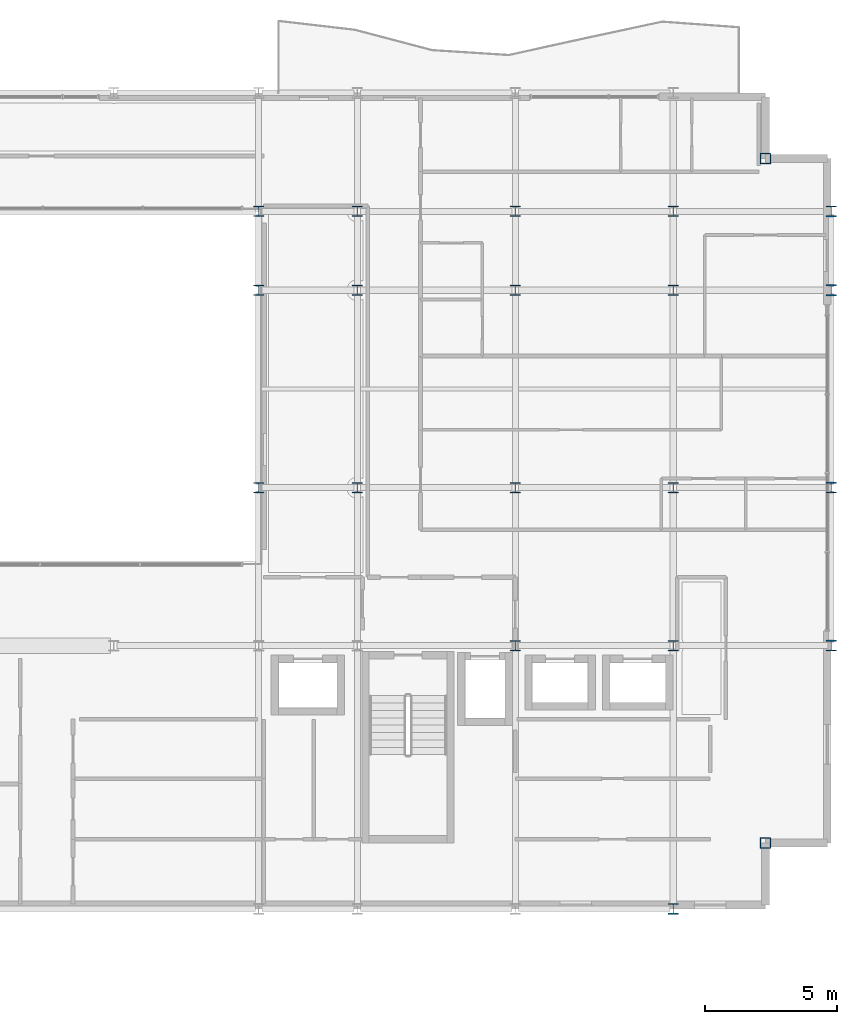
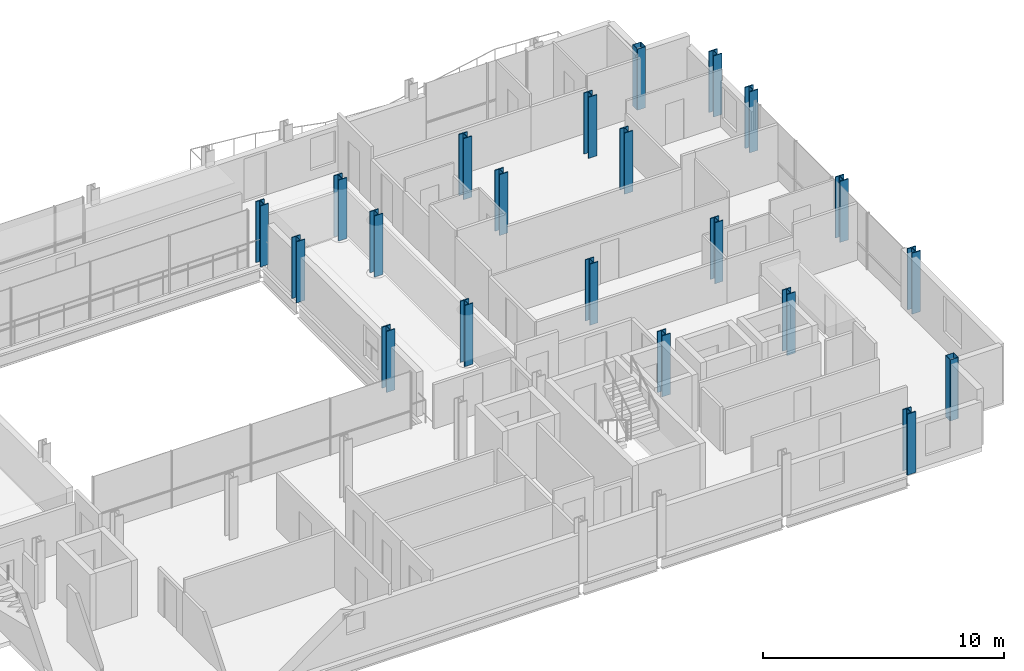
# One storey, part 2 of 41: 21 columns.
"""IFC4 building model written with IfcOpenShell, lengths in metres."""

from ifc_helpers import new_model, si_unit, direction, frame, origin, origin_2d, place, context, subcontext, project, spatial, hollow_rectangle, i_section, extrude, material, material_profile, profile_set, type_object, element, save


model = new_model("IFC4")

# Units and contexts
model_context = context("Model", 3, precision=1e-05, world=origin(), true_north=direction((0.0, 1.0)))
body_context = subcontext(model_context, "Body", "Model", "MODEL_VIEW")
ifc_project = project(units=[si_unit("LENGTHUNIT", "METRE"), si_unit("AREAUNIT", "SQUARE_METRE"), si_unit("VOLUMEUNIT", "CUBIC_METRE"), si_unit("PLANEANGLEUNIT", "RADIAN"), si_unit("MASSUNIT", "GRAM", prefix="KILO")], contexts=[model_context])

# Site, building, storey
site_placement = place(None, origin())
site = spatial("IfcSite", under=ifc_project, at=site_placement, CompositionType="ELEMENT")
building_placement = place(site_placement, origin())
building = spatial("IfcBuilding", under=site, at=building_placement, Name="Brevholm Reach", CompositionType="ELEMENT")
storey_placement = place(building_placement, frame((0.0, 0.0, 151.10009765625)))
storey = spatial("IfcBuildingStorey", under=building, at=storey_placement, Name="L45", CompositionType="ELEMENT", Elevation=151.10009765625)

# Columns
ifc_material_1 = material(Name="Structural Steel S460NH", Category="steel")
ifc_material_profile_1 = material_profile(ifc_material_1, hollow_rectangle(XDim=0.39990234375, YDim=0.39990234375, WallThickness=0.02001953125, InnerFilletRadius=0.011962890625, OuterFilletRadius=0.02392578125, at=origin_2d()), Name="SHS 400x400x20")
ifc_profile_set_1 = profile_set([ifc_material_profile_1], Name="Structural Steel S460NH")
column_type_1 = type_object("IfcColumnType", Name="COL-SHS2", PredefinedType="COLUMN", material=ifc_profile_set_1)
for number, where, z_axis, x_axis, name in (
    (1, (57.5, 2.5, 0.0), (0.0, 0.0, 1.0), (1.0, 0.0, 0.0), "L45 Column 59"),
    (2, (57.5, 28.5, 0.0), (0.0, 0.0, 1.0), (1.0, 0.0, 0.0), "L45 Column 60"),
):
    element("IfcColumn", number, at=place(storey_placement, frame(where, z_axis=z_axis, x_axis=x_axis)), inside=storey, type_object=column_type_1, Name=name, PredefinedType="COLUMN", context=body_context, shape_type="SweptSolid", body=[
        extrude(hollow_rectangle(XDim=0.39990234375, YDim=0.39990234375, WallThickness=0.02001953125, InnerFilletRadius=0.011962890625, OuterFilletRadius=0.02392578125, at=origin_2d()), origin(), (0.0, 0.0, 1.0), 3.099853515625),
    ])
ifc_material_2 = material(Name="Structural Steel S355J2", Category="steel")
ifc_material_profile_2 = material_profile(ifc_material_2, i_section(OverallWidth=0.406982421875, OverallDepth=0.4189453125, WebThickness=0.030517578125, FlangeThickness=0.04931640625, FilletRadius=0.01513671875, at=origin_2d()), Name="UKC 356x406x393")
ifc_profile_set_2 = profile_set([ifc_material_profile_2], Name="Structural Steel S355J2")
column_type_2 = type_object("IfcColumnType", Name="COL-UC4", PredefinedType="COLUMN", material=ifc_profile_set_2)
for number, where, z_axis, x_axis, name in (
    (3, (54.0, 0.0, 0.0), (0.0, 0.0, 1.0), (1.0, 0.0, 0.0), "L45 Column 53"),
    (4, (60.0, 10.0, 0.0), (0.0, 0.0, 1.0), (1.0, 0.0, 0.0), "L45 Column 61"),
    (5, (60.0, 16.0, 0.0), (0.0, 0.0, 1.0), (1.0, 0.0, 0.0), "L45 Column 62"),
    (6, (60.0, 23.5, 0.0), (0.0, 0.0, 1.0), (1.0, 0.0, 0.0), "L45 Column 63"),
    (7, (60.0, 26.5, 0.0), (0.0, 0.0, 1.0), (1.0, 0.0, 0.0), "L45 Column 64"),
):
    element("IfcColumn", number, at=place(storey_placement, frame(where, z_axis=z_axis, x_axis=x_axis)), inside=storey, type_object=column_type_2, Name=name, PredefinedType="COLUMN", context=body_context, shape_type="SweptSolid", body=[
        extrude(i_section(OverallWidth=0.406982421875, OverallDepth=0.4189453125, WebThickness=0.030517578125, FlangeThickness=0.04931640625, FilletRadius=0.01513671875, at=origin_2d()), origin(), (0.0, 0.0, 1.0), 3.099853515625),
    ])
ifc_material_3 = material(Name="Structural Steel S355J2", Category="steel")
ifc_material_profile_3 = material_profile(ifc_material_3, i_section(OverallWidth=0.403076171875, OverallDepth=0.406494140625, WebThickness=0.026611328125, FlangeThickness=0.04296875, FilletRadius=0.01513671875, at=origin_2d()), Name="UKC 356x406x340")
ifc_profile_set_3 = profile_set([ifc_material_profile_3], Name="Structural Steel S355J2")
column_type_3 = type_object("IfcColumnType", Name="COL-UC5", PredefinedType="COLUMN", material=ifc_profile_set_3)
for number, where, z_axis, x_axis, name in (
    (8, (38.25, 16.0, 0.0), (0.0, 0.0, 1.0), (1.0, 0.0, 0.0), "L45 Column 37"),
    (9, (38.25, 23.5, 0.0), (0.0, 0.0, 1.0), (1.0, 0.0, 0.0), "L45 Column 38"),
    (10, (38.25, 26.5, 0.0), (0.0, 0.0, 1.0), (1.0, 0.0, 0.0), "L45 Column 39"),
    (11, (42.0, 16.0, 0.0), (0.0, 0.0, 1.0), (1.0, 0.0, 0.0), "L45 Column 43"),
    (12, (42.0, 23.5, 0.0), (0.0, 0.0, 1.0), (1.0, 0.0, 0.0), "L45 Column 44"),
    (13, (42.0, 26.5, 0.0), (0.0, 0.0, 1.0), (1.0, 0.0, 0.0), "L45 Column 45"),
    (14, (48.0, 10.0, 0.0), (0.0, 0.0, 1.0), (1.0, 0.0, 0.0), "L45 Column 48"),
    (15, (48.0, 16.0, 0.0), (0.0, 0.0, 1.0), (1.0, 0.0, 0.0), "L45 Column 49"),
    (16, (48.0, 23.5, 0.0), (0.0, 0.0, 1.0), (1.0, 0.0, 0.0), "L45 Column 50"),
    (17, (48.0, 26.5, 0.0), (0.0, 0.0, 1.0), (1.0, 0.0, 0.0), "L45 Column 51"),
    (18, (54.0, 10.0, 0.0), (0.0, 0.0, 1.0), (1.0, 0.0, 0.0), "L45 Column 54"),
    (19, (54.0, 16.0, 0.0), (0.0, 0.0, 1.0), (1.0, 0.0, 0.0), "L45 Column 55"),
    (20, (54.0, 23.5, 0.0), (0.0, 0.0, 1.0), (1.0, 0.0, 0.0), "L45 Column 56"),
    (21, (54.0, 26.5, 0.0), (0.0, 0.0, 1.0), (1.0, 0.0, 0.0), "L45 Column 57"),
):
    element("IfcColumn", number, at=place(storey_placement, frame(where, z_axis=z_axis, x_axis=x_axis)), inside=storey, type_object=column_type_3, Name=name, PredefinedType="COLUMN", context=body_context, shape_type="SweptSolid", body=[
        extrude(i_section(OverallWidth=0.403076171875, OverallDepth=0.406494140625, WebThickness=0.026611328125, FlangeThickness=0.04296875, FilletRadius=0.01513671875, at=origin_2d()), origin(), (0.0, 0.0, 1.0), 3.099853515625),
    ])

save(model, "model.ifc")
